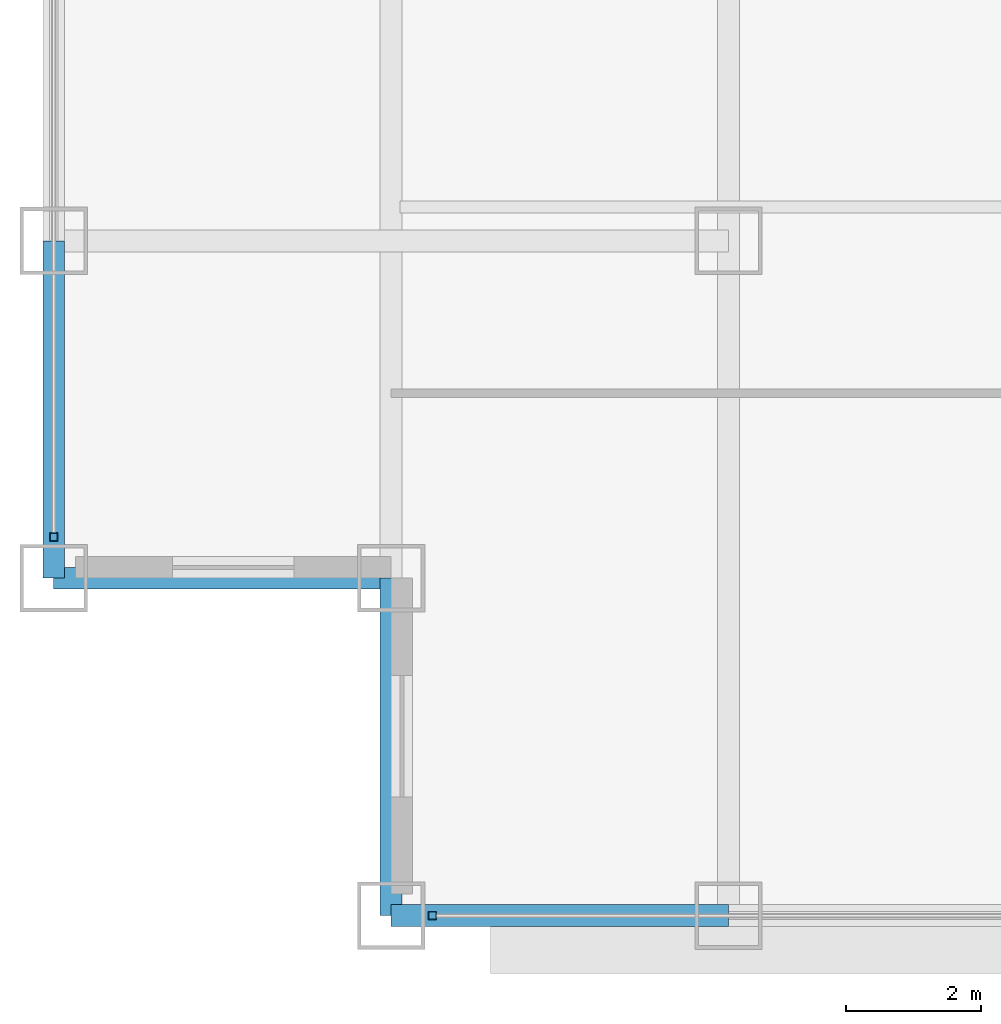
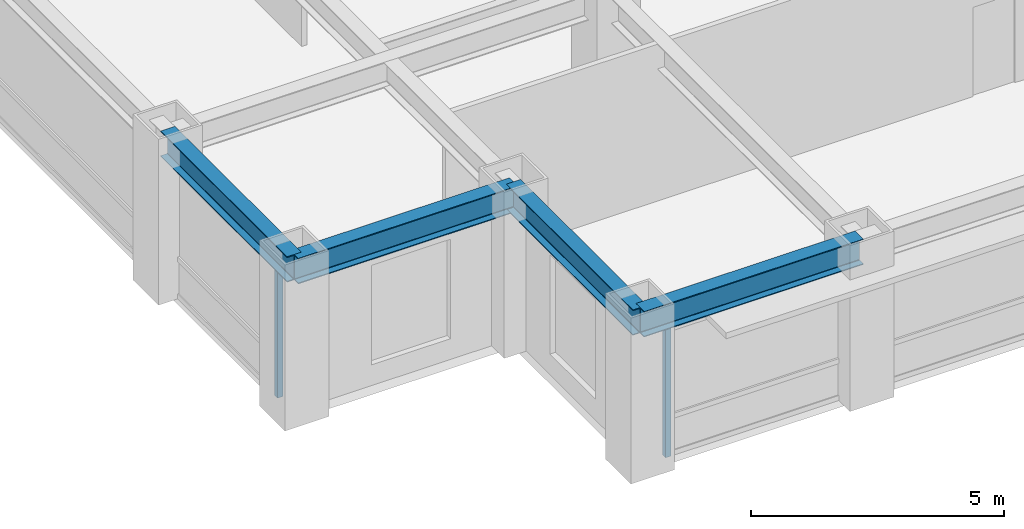
# One storey, part 2 of 29: 4 beams, 2 members, 2 elements without a shape of their own.
"""IFC4 building model written with IfcOpenShell, lengths in metres."""

import ifcopenshell
import ifcopenshell.guid

model = None  # the IFC model being written
_history = None  # IfcOwnerHistory: only IFC2X3 demands one
_inside = {}  # id of a spatial element -> (the spatial element, [elements in it])
_under = {}  # id of a project, library or spatial element -> (it, [spatial elements below it])
_declared = {}  # id of a project -> (the project, [libraries it declares])
_typed = {}  # id of a type object -> (the type object, [elements of that type])
_made_of = {}  # id of a material, layer set ... -> (it, [elements and type objects made of it])


def new_model(schema):
    """Start an empty IFC model of exactly this schema.

    Asked for "IFC4X3", IfcOpenShell would pick the latest addendum, in which some entities
    have other attributes; the version numbers below select the first issue.
    IFC2X3 requires an IfcOwnerHistory on every rooted entity: one is made here for all.
    """
    global model, _history
    if schema == "IFC4X3":
        model = ifcopenshell.file(schema_version=(4, 3, 0, 0))
    else:
        model = ifcopenshell.file(schema=schema)
    _inside.clear()
    _under.clear()
    _declared.clear()
    _typed.clear()
    _made_of.clear()
    _history = None
    if model.schema == "IFC2X3":
        org = make("IfcOrganization", Name="unknown")
        user = make(
            "IfcPersonAndOrganization",
            ThePerson=make("IfcPerson", FamilyName="unknown"),
            TheOrganization=org,
        )
        app = make(
            "IfcApplication",
            ApplicationDeveloper=org,
            Version="unknown",
            ApplicationFullName="unknown",
            ApplicationIdentifier="unknown",
        )
        _history = make(
            "IfcOwnerHistory",
            OwningUser=user,
            OwningApplication=app,
            ChangeAction="ADDED",
            CreationDate=0,
        )
    return model


def make(cls, **values):
    """One entity of the class cls with the attributes given. An attribute that is None is left unset."""
    return model.create_entity(
        cls, **{name: value for name, value in values.items() if value is not None}
    )


def rooted(cls, **values):
    """An entity with a GlobalId (a new one), such as an element, a storey or a relation."""
    return make(cls, GlobalId=ifcopenshell.guid.new(), OwnerHistory=_history, **values)


def si_unit(unit_type, name, prefix=None):
    """IfcSIUnit, for example si_unit("LENGTHUNIT", "METRE", prefix="MILLI")."""
    return make("IfcSIUnit", UnitType=unit_type, Prefix=prefix, Name=name)


def assignment(units):
    """IfcUnitAssignment: the units of a project."""
    return None if units is None else make("IfcUnitAssignment", Units=units)


def point(xyz):
    """IfcCartesianPoint."""
    return None if xyz is None else make("IfcCartesianPoint", Coordinates=xyz)


def direction(xyz):
    """IfcDirection."""
    return None if xyz is None else make("IfcDirection", DirectionRatios=xyz)


def frame(location, z_axis=None, x_axis=None):
    """IfcAxis2Placement3D, a coordinate frame: its origin and axes. An axis left out is left unset."""
    return make(
        "IfcAxis2Placement3D",
        Location=point(location),
        Axis=direction(z_axis),
        RefDirection=direction(x_axis),
    )


def frame_2d(location, x_axis=None):
    """IfcAxis2Placement2D, a coordinate frame in the plane: its origin and x axis."""
    return make(
        "IfcAxis2Placement2D", Location=point(location), RefDirection=direction(x_axis)
    )


def origin():
    """The frame at (0, 0, 0) with its axes left unset."""
    return frame((0.0, 0.0, 0.0))


def origin_2d():
    """The frame at (0, 0) in the plane with its x axis left unset."""
    return frame_2d((0.0, 0.0))


def place(relative_to, where):
    """IfcLocalPlacement: puts the frame where relative to a parent placement (None: the world)."""
    return make(
        "IfcLocalPlacement", PlacementRelTo=relative_to, RelativePlacement=where
    )


def context(
    kind, dimensions, precision=None, world=None, true_north=None, identifier=None
):
    """IfcGeometricRepresentationContext, for example the 3D "Model" context."""
    return make(
        "IfcGeometricRepresentationContext",
        ContextIdentifier=identifier,
        ContextType=kind,
        CoordinateSpaceDimension=dimensions,
        Precision=precision,
        WorldCoordinateSystem=world,
        TrueNorth=true_north,
    )


def subcontext(parent, identifier, kind, view, scale=None):
    """IfcGeometricRepresentationSubContext, for example "Body" below "Model"."""
    return make(
        "IfcGeometricRepresentationSubContext",
        ContextIdentifier=identifier,
        ContextType=kind,
        ParentContext=parent,
        TargetScale=scale,
        TargetView=view,
    )


def project(units=None, contexts=None):
    """IfcProject with its units and contexts."""
    return rooted(
        "IfcProject",
        Name="project",
        RepresentationContexts=contexts,
        UnitsInContext=assignment(units),
    )


def spatial(cls, under=None, at=None, **own):
    """A site, building, storey or space (cls), placed at a placement, below another one or the project."""
    s = rooted(cls, ObjectPlacement=at, **own)
    if under is not None:
        _under.setdefault(under.id(), (under, []))[1].append(s)
    return s


def profile(cls, at=None, kind="AREA", **sizes):
    """A parametric profile (cls). Its sizes go by their IFC names, for example OverallWidth=200.0."""
    return make(cls, ProfileType=kind, Position=at, **sizes)


def hollow_rectangle(**sizes):
    """IfcRectangleHollowProfileDef."""
    return profile("IfcRectangleHollowProfileDef", **sizes)


def i_section(**sizes):
    """IfcIShapeProfileDef."""
    return profile("IfcIShapeProfileDef", **sizes)


def extrude(swept, where, along, depth):
    """IfcExtrudedAreaSolid: the profile swept, set in the frame where, extruded along a direction by depth."""
    return make(
        "IfcExtrudedAreaSolid",
        SweptArea=swept,
        Position=where,
        ExtrudedDirection=direction(along),
        Depth=depth,
    )


def shape(context_of_items, identifier, shape_type, items):
    """IfcShapeRepresentation: the items that make up one representation, for example the "Body"."""
    return make(
        "IfcShapeRepresentation",
        ContextOfItems=context_of_items,
        RepresentationIdentifier=identifier,
        RepresentationType=shape_type,
        Items=items,
    )


def source(mapping_origin, context_of_items, identifier, shape_type, items):
    """IfcRepresentationMap: a shape defined once, which mapped items show again and again."""
    return make(
        "IfcRepresentationMap",
        MappingOrigin=mapping_origin,
        MappedRepresentation=shape(context_of_items, identifier, shape_type, items),
    )


def transform(
    local_origin,
    x_axis=None,
    y_axis=None,
    z_axis=None,
    scale=None,
    scale2=None,
    scale3=None,
    uniform=True,
):
    """IfcCartesianTransformationOperator3D, or its non-uniform kind. x_axis, y_axis, z_axis: its Axis1, 2, 3."""
    if uniform:
        return make(
            "IfcCartesianTransformationOperator3D",
            Axis1=direction(x_axis),
            Axis2=direction(y_axis),
            LocalOrigin=point(local_origin),
            Scale=scale,
            Axis3=direction(z_axis),
        )
    return make(
        "IfcCartesianTransformationOperator3DnonUniform",
        Axis1=direction(x_axis),
        Axis2=direction(y_axis),
        LocalOrigin=point(local_origin),
        Scale=scale,
        Axis3=direction(z_axis),
        Scale2=scale2,
        Scale3=scale3,
    )


def mapped(mapping_source, mapping_target):
    """IfcMappedItem: shows the shape of a source again, moved by a transform."""
    return make(
        "IfcMappedItem", MappingSource=mapping_source, MappingTarget=mapping_target
    )


def material(Name=None, Category=None):
    """IfcMaterial."""
    return make("IfcMaterial", Name=Name, Category=Category)


def material_profile(
    of_material, cross_section, Name=None, Category=None, Priority=None
):
    """IfcMaterialProfile: a cross section and its material."""
    return make(
        "IfcMaterialProfile",
        Name=Name,
        Material=of_material,
        Profile=cross_section,
        Priority=Priority,
        Category=Category,
    )


def profile_set(profiles, Name=None, composite=None):
    """IfcMaterialProfileSet."""
    return make(
        "IfcMaterialProfileSet",
        Name=Name,
        MaterialProfiles=profiles,
        CompositeProfile=composite,
    )


def made_of(thing, what):
    """Note that an element or type object is made of a material, layer set ...; save() writes the relation."""
    if what is not None:
        _made_of.setdefault(what.id(), (what, []))[1].append(thing)
    return thing


def type_object(cls, material=None, **own):
    """A type object (cls), such as IfcWallType, which elements share."""
    return made_of(rooted(cls, **own), material)


def element(
    cls,
    number,
    at=None,
    inside=None,
    cuts=None,
    type_object=None,
    material=None,
    context=None,
    identifier="Body",
    shape_type=None,
    held_by="IfcProductDefinitionShape",
    body=None,
    shapes=None,
    **own,
):
    """One element of the class cls, such as IfcWall. Its Tag is "e" and its number.

    at: its placement. inside: the storey or other place that contains it. cuts: it is an
    opening in that element (IfcRelVoidsElement). A single representation is given by context,
    identifier, shape_type and body (its items); several are given by shapes. held_by: the class
    of the entity that holds the representations. save() writes the other relations.
    """
    e = rooted(cls, Tag="e%d" % number, ObjectPlacement=at, **own)
    if body is not None:
        shapes = [shape(context, identifier, shape_type, body)]
    if shapes is not None:
        e.Representation = make(held_by, Representations=shapes)
    if inside is not None:
        _inside.setdefault(inside.id(), (inside, []))[1].append(e)
    if cuts is not None:
        rooted(
            "IfcRelVoidsElement", RelatingBuildingElement=cuts, RelatedOpeningElement=e
        )
    if type_object is not None:
        _typed.setdefault(type_object.id(), (type_object, []))[1].append(e)
    return made_of(e, material)


def aggregate(whole, parts):
    """IfcRelAggregates: a whole, such as a stair, and the parts it consists of."""
    return rooted("IfcRelAggregates", RelatingObject=whole, RelatedObjects=parts)


def save(model, path):
    """Write the relations noted so far, then the file.

    IfcRelAggregates (storeys below a building ...), IfcRelContainedInSpatialStructure (elements
    in a storey), IfcRelDefinesByType, IfcRelAssociatesMaterial and IfcRelDeclares: one each for
    every whole, place, type object, material and project.
    """
    for whole, parts in _under.values():
        aggregate(whole, parts)
    for where, things in _inside.values():
        rooted(
            "IfcRelContainedInSpatialStructure",
            RelatedElements=things,
            RelatingStructure=where,
        )
    for kind, things in _typed.values():
        rooted("IfcRelDefinesByType", RelatedObjects=things, RelatingType=kind)
    for what, things in _made_of.values():
        rooted("IfcRelAssociatesMaterial", RelatedObjects=things, RelatingMaterial=what)
    for by, libraries in _declared.values():
        rooted("IfcRelDeclares", RelatingContext=by, RelatedDefinitions=libraries)
    model.write(path)


model = new_model("IFC4")

# Units and contexts
model_context = context("Model", 3, precision=1e-05, world=origin(), true_north=direction((0.0, 1.0)))
body_context = subcontext(model_context, "Body", "Model", "MODEL_VIEW")
ifc_project = project(units=[si_unit("LENGTHUNIT", "METRE"), si_unit("AREAUNIT", "SQUARE_METRE"), si_unit("VOLUMEUNIT", "CUBIC_METRE"), si_unit("PLANEANGLEUNIT", "RADIAN"), si_unit("MASSUNIT", "GRAM", prefix="KILO")], contexts=[model_context])

# Site, building, storey
site_placement = place(None, origin())
site = spatial("IfcSite", under=ifc_project, at=site_placement, CompositionType="ELEMENT")
building_placement = place(site_placement, origin())
building = spatial("IfcBuilding", under=site, at=building_placement, Name="Khorayat Bourse Tower", CompositionType="ELEMENT")
storey_placement = place(building_placement, frame((0.0, 0.0, 239.10009765625)))
storey = spatial("IfcBuildingStorey", under=building, at=storey_placement, Name="L56", CompositionType="ELEMENT", Elevation=239.10009765625)

# Beams
ifc_material_1 = material(Name="Steel ASTM A992 Grade 50", Category="steel")
ifc_material_profile_1 = material_profile(ifc_material_1, i_section(OverallWidth=0.324951171875, OverallDepth=0.615966796875, WebThickness=0.013916015625, FlangeThickness=0.021484375, FilletRadius=0.01611328125, at=origin_2d()), Name="W610X174")
ifc_profile_set_1 = profile_set([ifc_material_profile_1], Name="Steel ASTM A992 Grade 50")
beam_type = type_object("IfcBeamType", Name="BM-SPAN-610", PredefinedType="SPANDREL", material=ifc_profile_set_1)
shared_shape_1 = source(origin(), body_context, "Body", "SweptSolid", [
    extrude(i_section(OverallWidth=0.324951171875, OverallDepth=0.615966796875, WebThickness=0.013916015625, FlangeThickness=0.021484375, FilletRadius=0.01611328125, at=origin_2d()), origin(), (0.0, 0.0, 1.0), 5.0),
])
for number, where, z_axis, x_axis, name in (
    (1, (-25.0, -30.0, 3.471923828125), (1.0, 0.0, 0.0), (0.0, 1.0, 0.0), "L56 BM-SPAN-610 BM-L56-SPN-024"),
    (2, (-30.0, -25.0, 3.471923828125), (0.0, 1.0, 0.0), (-1.0, 0.0, 0.0), "L56 BM-SPAN-610 BM-L56-SPN-061"),
    (3, (-30.0, -25.0, 3.471923828125), (1.0, 0.0, 0.0), (0.0, 1.0, 0.0), "L56 BM-SPAN-610 BM-L56-SPN-062"),
    (4, (-25.0, -30.0, 3.471923828125), (0.0, 1.0, 0.0), (-1.0, 0.0, 0.0), "L56 BM-SPAN-610 BM-L56-SPN-063"),
):
    element("IfcBeam", number, at=place(storey_placement, frame(where, z_axis=z_axis, x_axis=x_axis)), inside=storey, type_object=beam_type, Name=name, PredefinedType="SPANDREL", context=body_context, shape_type="MappedRepresentation", body=[
        mapped(shared_shape_1, transform((0.0, 0.0, 0.0), scale=1.0)),
    ])

# Curtain wall, member
ifc_material_2 = material(Name="Aluminium EN AW-6063 T6", Category="aluminium")
curtain_wall_type = type_object("IfcCurtainWallType", Name="CW-SYS-03", PredefinedType="NOTDEFINED", material=ifc_material_2)
curtain_wall_1_placement = place(storey_placement, origin())
curtain_wall_1 = element("IfcCurtainWall", 5, at=curtain_wall_1_placement, inside=storey, type_object=curtain_wall_type, Name="L56 Curtain Wall CW-L56-S1", PredefinedType="NOTDEFINED")
ifc_material_profile_2 = material_profile(ifc_material_2, hollow_rectangle(XDim=0.1201171875, YDim=0.1201171875, WallThickness=0.0048828125, at=origin_2d()), Name="ALU 120x120x5")
ifc_profile_set_2 = profile_set([ifc_material_profile_2], Name="Aluminium EN AW-6063 T6")
member_type = type_object("IfcMemberType", Name="CWM-VERT-120", PredefinedType="MULLION", material=ifc_profile_set_2)
shared_shape_2 = source(origin(), body_context, "Body", "SweptSolid", [
    extrude(hollow_rectangle(XDim=0.1201171875, YDim=0.1201171875, WallThickness=0.0048828125, at=origin_2d()), origin(), (0.0, 0.0, 1.0), 3.1298828125),
])
member_1_placement = place(storey_placement, frame((-24.389892578125, -30.0, 0.0), z_axis=(0.0, 0.0, 1.0), x_axis=(0.0, 1.0, 0.0)))
member_1 = element("IfcMember", 6, at=member_1_placement, type_object=member_type, Name="CW-L56-S1 Vertical Mullion 1", PredefinedType="MULLION", context=body_context, shape_type="MappedRepresentation", body=[
    mapped(shared_shape_2, transform((0.0, 0.0, 0.0), scale=1.0)),
])
aggregate(curtain_wall_1, [member_1])

curtain_wall_2_placement = place(storey_placement, origin())
curtain_wall_2 = element("IfcCurtainWall", 7, at=curtain_wall_2_placement, inside=storey, type_object=curtain_wall_type, Name="L56 Curtain Wall CW-L56-W1", PredefinedType="NOTDEFINED")
member_2_placement = place(storey_placement, frame((-30.0, -24.389892578125, 0.0), z_axis=(0.0, 0.0, 1.0), x_axis=(-1.0, 0.0, 0.0)))
member_2 = element("IfcMember", 8, at=member_2_placement, type_object=member_type, Name="CW-L56-W1 Vertical Mullion 1", PredefinedType="MULLION", context=body_context, shape_type="MappedRepresentation", body=[
    mapped(shared_shape_2, transform((0.0, 0.0, 0.0), scale=1.0)),
])
aggregate(curtain_wall_2, [member_2])

save(model, "model.ifc")
